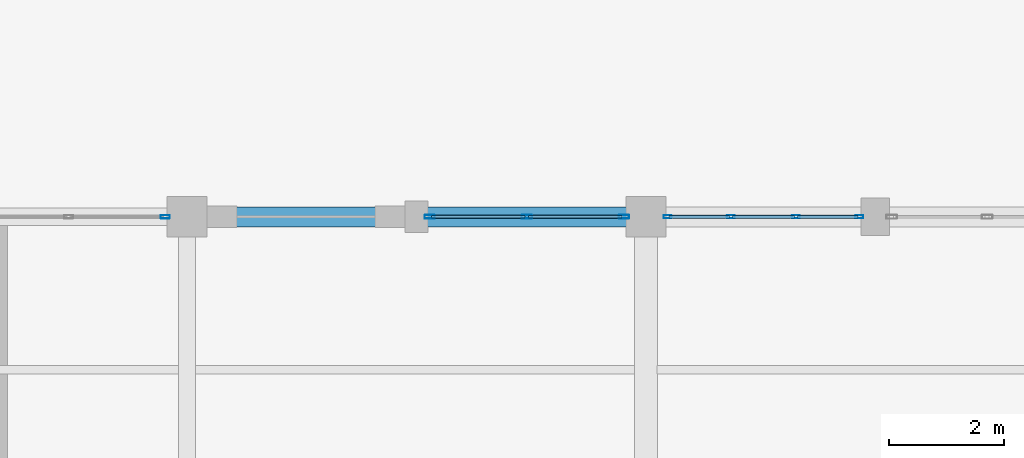
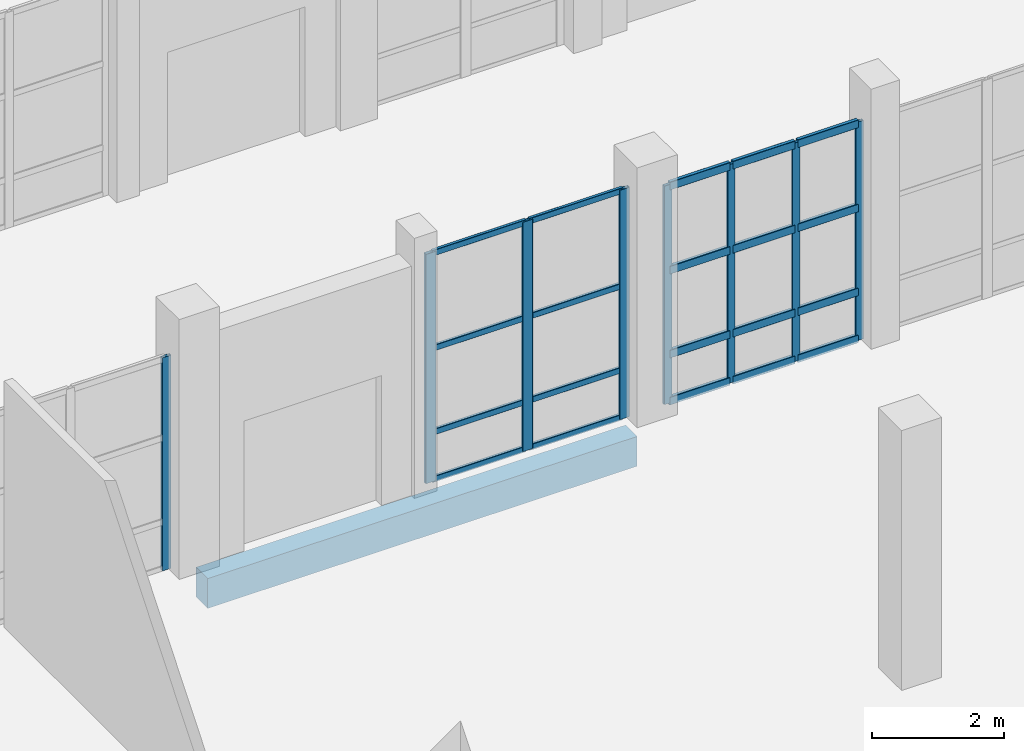
# One storey, part 15 of 156: 28 members, 1 beam, 3 elements without a shape of their own.
"""IFC4 building model written with IfcOpenShell, lengths in metres."""

from ifc_helpers import new_model, si_unit, direction, frame, origin, origin_2d, place, context, subcontext, project, spatial, rectangle, hollow_rectangle, extrude, material, material_profile, profile_set, type_object, element, aggregate, save


model = new_model("IFC4")

# Units and contexts
model_context = context("Model", 3, precision=1e-05, world=origin(), true_north=direction((0.0, 1.0)))
body_context = subcontext(model_context, "Body", "Model", "MODEL_VIEW")
ifc_project = project(units=[si_unit("LENGTHUNIT", "METRE"), si_unit("AREAUNIT", "SQUARE_METRE"), si_unit("VOLUMEUNIT", "CUBIC_METRE"), si_unit("PLANEANGLEUNIT", "RADIAN"), si_unit("MASSUNIT", "GRAM", prefix="KILO")], contexts=[model_context])

# Site, building, storey
site_placement = place(None, origin())
site = spatial("IfcSite", under=ifc_project, at=site_placement, CompositionType="ELEMENT")
building_placement = place(site_placement, origin())
building = spatial("IfcBuilding", under=site, at=building_placement, Name="Luwemba Playhouse", CompositionType="ELEMENT")
storey_placement = place(building_placement, origin())
storey = spatial("IfcBuildingStorey", under=building, at=storey_placement, Name="L00", CompositionType="ELEMENT", Elevation=0.0)

# Beam
ifc_material_1 = material(Name="Concrete C40/50", Category="concrete")
ifc_material_profile_1 = material_profile(ifc_material_1, rectangle(XDim=0.35009765625, YDim=0.550048828125, at=origin_2d()))
ifc_profile_set_1 = profile_set([ifc_material_profile_1], Name="Concrete C40/50")
beam_type = type_object("IfcBeamType", Name="BM-SP2", PredefinedType="SPANDREL", material=ifc_profile_set_1)
beam_placement = place(storey_placement, frame((20.25, 27.0, -0.574951171875), z_axis=(1.0, 0.0, 0.0), x_axis=(0.0, 1.0, 0.0)))
element("IfcBeam", 1, at=beam_placement, inside=storey, type_object=beam_type, Name="L00 grid girder 0173", PredefinedType="SPANDREL", context=body_context, shape_type="SweptSolid", body=[
    extrude(rectangle(XDim=0.35009765625, YDim=0.550048828125, at=origin_2d()), origin(), (0.0, 0.0, 1.0), 7.5),
])

# Curtain wall, member
ifc_material_2 = material(Name="Solar-control double glazing", Category="glass")
curtain_wall_type_1 = type_object("IfcCurtainWallType", Name="CW-CW28", PredefinedType="USERDEFINED", material=ifc_material_2)
curtain_wall_1_placement = place(storey_placement, origin())
curtain_wall_1 = element("IfcCurtainWall", 2, at=curtain_wall_1_placement, inside=storey, type_object=curtain_wall_type_1, Name="L00 V5W unitised curtain wall 031", ObjectType="UNITISED GLAZING", PredefinedType="USERDEFINED")
ifc_material_3 = material(Name="Aluminium 6063-T6", Category="aluminium")
ifc_material_profile_2 = material_profile(ifc_material_3, hollow_rectangle(XDim=0.06005859375, YDim=0.159912109375, WallThickness=0.00390625, InnerFilletRadius=0.006103515625, OuterFilletRadius=0.010009765625, at=origin_2d()))
ifc_profile_set_2 = profile_set([ifc_material_profile_2], Name="Aluminium 6063-T6")
member_type_1 = type_object("IfcMemberType", Name="CWM-M1", PredefinedType="MULLION", material=ifc_profile_set_2)
member_1_placement = place(storey_placement, frame((19.6201171875, 27.0, 0.0), z_axis=(0.0, 0.0, 1.0), x_axis=(0.0, 1.0, 0.0)))
member_1 = element("IfcMember", 3, at=member_1_placement, type_object=member_type_1, Name="CW28 mullion 3", PredefinedType="MULLION", context=body_context, shape_type="SweptSolid", body=[
    extrude(hollow_rectangle(XDim=0.06005859375, YDim=0.159912109375, WallThickness=0.00390625, InnerFilletRadius=0.006103515625, OuterFilletRadius=0.010009765625, at=origin_2d()), origin(), (0.0, 0.0, 1.0), 3.93505859375),
])
aggregate(curtain_wall_1, [member_1])

# Curtain wall, members
curtain_wall_type_2 = type_object("IfcCurtainWallType", Name="CW-CW29", PredefinedType="USERDEFINED", material=ifc_material_2)
curtain_wall_2_placement = place(storey_placement, origin())
curtain_wall_2 = element("IfcCurtainWall", 4, at=curtain_wall_2_placement, inside=storey, type_object=curtain_wall_type_2, Name="L00 V5W unitised curtain wall 032", ObjectType="UNITISED GLAZING", PredefinedType="USERDEFINED")
ifc_material_profile_3 = material_profile(ifc_material_3, hollow_rectangle(XDim=0.06494140625, YDim=0.179931640625, WallThickness=0.00439453125, InnerFilletRadius=0.0068359375, OuterFilletRadius=0.01123046875, at=origin_2d()))
ifc_profile_set_3 = profile_set([ifc_material_profile_3], Name="Aluminium 6063-T6")
member_type_2 = type_object("IfcMemberType", Name="CWM-M2", PredefinedType="MULLION", material=ifc_profile_set_3)
member_2_placement = place(storey_placement, frame((24.232421875, 27.0, 0.0), z_axis=(0.0, 0.0, 1.0), x_axis=(0.0, 1.0, 0.0)))
member_2 = element("IfcMember", 5, at=member_2_placement, type_object=member_type_2, Name="CW29 mullion 1", PredefinedType="MULLION", context=body_context, shape_type="SweptSolid", body=[
    extrude(hollow_rectangle(XDim=0.06494140625, YDim=0.179931640625, WallThickness=0.00439453125, InnerFilletRadius=0.0068359375, OuterFilletRadius=0.01123046875, at=origin_2d()), origin(), (0.0, 0.0, 1.0), 4.235107421875),
])
member_3_placement = place(storey_placement, frame((25.925048828125, 27.0, 0.0), z_axis=(0.0, 0.0, 1.0), x_axis=(0.0, 1.0, 0.0)))
member_3 = element("IfcMember", 6, at=member_3_placement, type_object=member_type_2, Name="CW29 mullion 2", PredefinedType="MULLION", context=body_context, shape_type="SweptSolid", body=[
    extrude(hollow_rectangle(XDim=0.06494140625, YDim=0.179931640625, WallThickness=0.00439453125, InnerFilletRadius=0.0068359375, OuterFilletRadius=0.01123046875, at=origin_2d()), origin(), (0.0, 0.0, 1.0), 4.235107421875),
])
member_4_placement = place(storey_placement, frame((27.617431640625, 27.0, 0.0), z_axis=(0.0, 0.0, 1.0), x_axis=(0.0, 1.0, 0.0)))
member_4 = element("IfcMember", 7, at=member_4_placement, type_object=member_type_2, Name="CW29 mullion 3", PredefinedType="MULLION", context=body_context, shape_type="SweptSolid", body=[
    extrude(hollow_rectangle(XDim=0.06494140625, YDim=0.179931640625, WallThickness=0.00439453125, InnerFilletRadius=0.0068359375, OuterFilletRadius=0.01123046875, at=origin_2d()), origin(), (0.0, 0.0, 1.0), 4.235107421875),
])

curtain_wall_type_3 = type_object("IfcCurtainWallType", Name="CW-CW30", PredefinedType="USERDEFINED", material=ifc_material_2)
curtain_wall_3_placement = place(storey_placement, origin())
curtain_wall_3 = element("IfcCurtainWall", 8, at=curtain_wall_3_placement, inside=storey, type_object=curtain_wall_type_3, Name="L00 V5W unitised curtain wall 033", ObjectType="UNITISED GLAZING", PredefinedType="USERDEFINED")
ifc_material_profile_4 = material_profile(ifc_material_3, hollow_rectangle(XDim=0.054931640625, YDim=0.139892578125, WallThickness=0.00390625, InnerFilletRadius=0.006103515625, OuterFilletRadius=0.010009765625, at=origin_2d()))
ifc_profile_set_4 = profile_set([ifc_material_profile_4], Name="Aluminium 6063-T6")
member_type_3 = type_object("IfcMemberType", Name="CWM-M3", PredefinedType="MULLION", material=ifc_profile_set_4)
member_5_placement = place(storey_placement, frame((28.37744140625, 27.0, 0.0), z_axis=(0.0, 0.0, 1.0), x_axis=(0.0, 1.0, 0.0)))
member_5 = element("IfcMember", 9, at=member_5_placement, type_object=member_type_3, Name="CW30 mullion 1", PredefinedType="MULLION", context=body_context, shape_type="SweptSolid", body=[
    extrude(hollow_rectangle(XDim=0.054931640625, YDim=0.139892578125, WallThickness=0.00390625, InnerFilletRadius=0.006103515625, OuterFilletRadius=0.010009765625, at=origin_2d()), origin(), (0.0, 0.0, 1.0), 4.034912109375),
])
member_6_placement = place(storey_placement, frame((29.4833984375, 27.0, 0.0), z_axis=(0.0, 0.0, 1.0), x_axis=(0.0, 1.0, 0.0)))
member_6 = element("IfcMember", 10, at=member_6_placement, type_object=member_type_3, Name="CW30 mullion 2", PredefinedType="MULLION", context=body_context, shape_type="SweptSolid", body=[
    extrude(hollow_rectangle(XDim=0.054931640625, YDim=0.139892578125, WallThickness=0.00390625, InnerFilletRadius=0.006103515625, OuterFilletRadius=0.010009765625, at=origin_2d()), origin(), (0.0, 0.0, 1.0), 4.034912109375),
])
member_7_placement = place(storey_placement, frame((30.61669921875, 27.0, 0.0), z_axis=(0.0, 0.0, 1.0), x_axis=(0.0, 1.0, 0.0)))
member_7 = element("IfcMember", 11, at=member_7_placement, type_object=member_type_3, Name="CW30 mullion 3", PredefinedType="MULLION", context=body_context, shape_type="SweptSolid", body=[
    extrude(hollow_rectangle(XDim=0.054931640625, YDim=0.139892578125, WallThickness=0.00390625, InnerFilletRadius=0.006103515625, OuterFilletRadius=0.010009765625, at=origin_2d()), origin(), (0.0, 0.0, 1.0), 4.034912109375),
])
member_8_placement = place(storey_placement, frame((31.722412109375, 27.0, 0.0), z_axis=(0.0, 0.0, 1.0), x_axis=(0.0, 1.0, 0.0)))
member_8 = element("IfcMember", 12, at=member_8_placement, type_object=member_type_3, Name="CW30 mullion 4", PredefinedType="MULLION", context=body_context, shape_type="SweptSolid", body=[
    extrude(hollow_rectangle(XDim=0.054931640625, YDim=0.139892578125, WallThickness=0.00390625, InnerFilletRadius=0.006103515625, OuterFilletRadius=0.010009765625, at=origin_2d()), origin(), (0.0, 0.0, 1.0), 4.034912109375),
])

# Member
ifc_material_profile_5 = material_profile(ifc_material_3, hollow_rectangle(XDim=0.054931640625, YDim=0.110107421875, WallThickness=0.00341796875, InnerFilletRadius=0.00537109375, OuterFilletRadius=0.0087890625, at=origin_2d()))
ifc_profile_set_5 = profile_set([ifc_material_profile_5], Name="Aluminium 6063-T6")
member_type_4 = type_object("IfcMemberType", Name="CWT-T2", PredefinedType="USERDEFINED", material=ifc_profile_set_5)
member_9_placement = place(storey_placement, frame((24.264892578125, 27.0, 0.027587890625), z_axis=(1.0, 0.0, 0.0), x_axis=(0.0, 1.0, 0.0)))
member_9 = element("IfcMember", 13, at=member_9_placement, type_object=member_type_4, Name="CW29 transom 1.1", ObjectType="TRANSOM", PredefinedType="USERDEFINED", context=body_context, shape_type="SweptSolid", body=[
    extrude(hollow_rectangle(XDim=0.054931640625, YDim=0.110107421875, WallThickness=0.00341796875, InnerFilletRadius=0.00537109375, OuterFilletRadius=0.0087890625, at=origin_2d()), origin(), (0.0, 0.0, 1.0), 1.627685546875),
])

member_10_placement = place(storey_placement, frame((24.264892578125, 27.0, 0.89990234375), z_axis=(1.0, 0.0, 0.0), x_axis=(0.0, 1.0, 0.0)))
member_10 = element("IfcMember", 14, at=member_10_placement, type_object=member_type_4, Name="CW29 transom 1.2", ObjectType="TRANSOM", PredefinedType="USERDEFINED", context=body_context, shape_type="SweptSolid", body=[
    extrude(hollow_rectangle(XDim=0.054931640625, YDim=0.110107421875, WallThickness=0.00341796875, InnerFilletRadius=0.00537109375, OuterFilletRadius=0.0087890625, at=origin_2d()), origin(), (0.0, 0.0, 1.0), 1.627685546875),
])

member_11_placement = place(storey_placement, frame((24.264892578125, 27.0, 2.449951171875), z_axis=(1.0, 0.0, 0.0), x_axis=(0.0, 1.0, 0.0)))
member_11 = element("IfcMember", 15, at=member_11_placement, type_object=member_type_4, Name="CW29 transom 1.3", ObjectType="TRANSOM", PredefinedType="USERDEFINED", context=body_context, shape_type="SweptSolid", body=[
    extrude(hollow_rectangle(XDim=0.054931640625, YDim=0.110107421875, WallThickness=0.00341796875, InnerFilletRadius=0.00537109375, OuterFilletRadius=0.0087890625, at=origin_2d()), origin(), (0.0, 0.0, 1.0), 1.627685546875),
])

member_12_placement = place(storey_placement, frame((24.264892578125, 27.0, 4.20751953125), z_axis=(1.0, 0.0, 0.0), x_axis=(0.0, 1.0, 0.0)))
member_12 = element("IfcMember", 16, at=member_12_placement, type_object=member_type_4, Name="CW29 transom 1.4", ObjectType="TRANSOM", PredefinedType="USERDEFINED", context=body_context, shape_type="SweptSolid", body=[
    extrude(hollow_rectangle(XDim=0.054931640625, YDim=0.110107421875, WallThickness=0.00341796875, InnerFilletRadius=0.00537109375, OuterFilletRadius=0.0087890625, at=origin_2d()), origin(), (0.0, 0.0, 1.0), 1.627685546875),
])

member_13_placement = place(storey_placement, frame((25.95751953125, 27.0, 0.027587890625), z_axis=(1.0, 0.0, 0.0), x_axis=(0.0, 1.0, 0.0)))
member_13 = element("IfcMember", 17, at=member_13_placement, type_object=member_type_4, Name="CW29 transom 2.1", ObjectType="TRANSOM", PredefinedType="USERDEFINED", context=body_context, shape_type="SweptSolid", body=[
    extrude(hollow_rectangle(XDim=0.054931640625, YDim=0.110107421875, WallThickness=0.00341796875, InnerFilletRadius=0.00537109375, OuterFilletRadius=0.0087890625, at=origin_2d()), origin(), (0.0, 0.0, 1.0), 1.62744140625),
])

member_14_placement = place(storey_placement, frame((25.95751953125, 27.0, 0.89990234375), z_axis=(1.0, 0.0, 0.0), x_axis=(0.0, 1.0, 0.0)))
member_14 = element("IfcMember", 18, at=member_14_placement, type_object=member_type_4, Name="CW29 transom 2.2", ObjectType="TRANSOM", PredefinedType="USERDEFINED", context=body_context, shape_type="SweptSolid", body=[
    extrude(hollow_rectangle(XDim=0.054931640625, YDim=0.110107421875, WallThickness=0.00341796875, InnerFilletRadius=0.00537109375, OuterFilletRadius=0.0087890625, at=origin_2d()), origin(), (0.0, 0.0, 1.0), 1.62744140625),
])

member_15_placement = place(storey_placement, frame((25.95751953125, 27.0, 2.449951171875), z_axis=(1.0, 0.0, 0.0), x_axis=(0.0, 1.0, 0.0)))
member_15 = element("IfcMember", 19, at=member_15_placement, type_object=member_type_4, Name="CW29 transom 2.3", ObjectType="TRANSOM", PredefinedType="USERDEFINED", context=body_context, shape_type="SweptSolid", body=[
    extrude(hollow_rectangle(XDim=0.054931640625, YDim=0.110107421875, WallThickness=0.00341796875, InnerFilletRadius=0.00537109375, OuterFilletRadius=0.0087890625, at=origin_2d()), origin(), (0.0, 0.0, 1.0), 1.62744140625),
])

member_16_placement = place(storey_placement, frame((25.95751953125, 27.0, 4.20751953125), z_axis=(1.0, 0.0, 0.0), x_axis=(0.0, 1.0, 0.0)))
member_16 = element("IfcMember", 20, at=member_16_placement, type_object=member_type_4, Name="CW29 transom 2.4", ObjectType="TRANSOM", PredefinedType="USERDEFINED", context=body_context, shape_type="SweptSolid", body=[
    extrude(hollow_rectangle(XDim=0.054931640625, YDim=0.110107421875, WallThickness=0.00341796875, InnerFilletRadius=0.00537109375, OuterFilletRadius=0.0087890625, at=origin_2d()), origin(), (0.0, 0.0, 1.0), 1.62744140625),
])

aggregate(curtain_wall_2, [member_2, member_3, member_4, member_9, member_10, member_11, member_12, member_13, member_14, member_15, member_16])

ifc_material_profile_6 = material_profile(ifc_material_3, hollow_rectangle(XDim=0.06494140625, YDim=0.14990234375, WallThickness=0.00390625, InnerFilletRadius=0.006103515625, OuterFilletRadius=0.010009765625, at=origin_2d()))
ifc_profile_set_6 = profile_set([ifc_material_profile_6], Name="Aluminium 6063-T6")
member_type_5 = type_object("IfcMemberType", Name="CWT-T3", PredefinedType="USERDEFINED", material=ifc_profile_set_6)
member_17_placement = place(storey_placement, frame((28.405029296875, 27.0, 0.032470703125), z_axis=(1.0, 0.0, 0.0), x_axis=(0.0, 1.0, 0.0)))
member_17 = element("IfcMember", 21, at=member_17_placement, type_object=member_type_5, Name="CW30 transom 1.1", ObjectType="TRANSOM", PredefinedType="USERDEFINED", context=body_context, shape_type="SweptSolid", body=[
    extrude(hollow_rectangle(XDim=0.06494140625, YDim=0.14990234375, WallThickness=0.00390625, InnerFilletRadius=0.006103515625, OuterFilletRadius=0.010009765625, at=origin_2d()), origin(), (0.0, 0.0, 1.0), 1.05078125),
])

member_18_placement = place(storey_placement, frame((28.405029296875, 27.0, 0.89990234375), z_axis=(1.0, 0.0, 0.0), x_axis=(0.0, 1.0, 0.0)))
member_18 = element("IfcMember", 22, at=member_18_placement, type_object=member_type_5, Name="CW30 transom 1.2", ObjectType="TRANSOM", PredefinedType="USERDEFINED", context=body_context, shape_type="SweptSolid", body=[
    extrude(hollow_rectangle(XDim=0.06494140625, YDim=0.14990234375, WallThickness=0.00390625, InnerFilletRadius=0.006103515625, OuterFilletRadius=0.010009765625, at=origin_2d()), origin(), (0.0, 0.0, 1.0), 1.05078125),
])

member_19_placement = place(storey_placement, frame((28.405029296875, 27.0, 2.449951171875), z_axis=(1.0, 0.0, 0.0), x_axis=(0.0, 1.0, 0.0)))
member_19 = element("IfcMember", 23, at=member_19_placement, type_object=member_type_5, Name="CW30 transom 1.3", ObjectType="TRANSOM", PredefinedType="USERDEFINED", context=body_context, shape_type="SweptSolid", body=[
    extrude(hollow_rectangle(XDim=0.06494140625, YDim=0.14990234375, WallThickness=0.00390625, InnerFilletRadius=0.006103515625, OuterFilletRadius=0.010009765625, at=origin_2d()), origin(), (0.0, 0.0, 1.0), 1.05078125),
])

member_20_placement = place(storey_placement, frame((28.405029296875, 27.0, 4.00244140625), z_axis=(1.0, 0.0, 0.0), x_axis=(0.0, 1.0, 0.0)))
member_20 = element("IfcMember", 24, at=member_20_placement, type_object=member_type_5, Name="CW30 transom 1.4", ObjectType="TRANSOM", PredefinedType="USERDEFINED", context=body_context, shape_type="SweptSolid", body=[
    extrude(hollow_rectangle(XDim=0.06494140625, YDim=0.14990234375, WallThickness=0.00390625, InnerFilletRadius=0.006103515625, OuterFilletRadius=0.010009765625, at=origin_2d()), origin(), (0.0, 0.0, 1.0), 1.05078125),
])

member_21_placement = place(storey_placement, frame((29.5107421875, 27.0, 0.032470703125), z_axis=(1.0, 0.0, 0.0), x_axis=(0.0, 1.0, 0.0)))
member_21 = element("IfcMember", 25, at=member_21_placement, type_object=member_type_5, Name="CW30 transom 2.1", ObjectType="TRANSOM", PredefinedType="USERDEFINED", context=body_context, shape_type="SweptSolid", body=[
    extrude(hollow_rectangle(XDim=0.06494140625, YDim=0.14990234375, WallThickness=0.00390625, InnerFilletRadius=0.006103515625, OuterFilletRadius=0.010009765625, at=origin_2d()), origin(), (0.0, 0.0, 1.0), 1.078369140625),
])

member_22_placement = place(storey_placement, frame((29.5107421875, 27.0, 0.89990234375), z_axis=(1.0, 0.0, 0.0), x_axis=(0.0, 1.0, 0.0)))
member_22 = element("IfcMember", 26, at=member_22_placement, type_object=member_type_5, Name="CW30 transom 2.2", ObjectType="TRANSOM", PredefinedType="USERDEFINED", context=body_context, shape_type="SweptSolid", body=[
    extrude(hollow_rectangle(XDim=0.06494140625, YDim=0.14990234375, WallThickness=0.00390625, InnerFilletRadius=0.006103515625, OuterFilletRadius=0.010009765625, at=origin_2d()), origin(), (0.0, 0.0, 1.0), 1.078369140625),
])

member_23_placement = place(storey_placement, frame((29.5107421875, 27.0, 2.449951171875), z_axis=(1.0, 0.0, 0.0), x_axis=(0.0, 1.0, 0.0)))
member_23 = element("IfcMember", 27, at=member_23_placement, type_object=member_type_5, Name="CW30 transom 2.3", ObjectType="TRANSOM", PredefinedType="USERDEFINED", context=body_context, shape_type="SweptSolid", body=[
    extrude(hollow_rectangle(XDim=0.06494140625, YDim=0.14990234375, WallThickness=0.00390625, InnerFilletRadius=0.006103515625, OuterFilletRadius=0.010009765625, at=origin_2d()), origin(), (0.0, 0.0, 1.0), 1.078369140625),
])

member_24_placement = place(storey_placement, frame((29.5107421875, 27.0, 4.00244140625), z_axis=(1.0, 0.0, 0.0), x_axis=(0.0, 1.0, 0.0)))
member_24 = element("IfcMember", 28, at=member_24_placement, type_object=member_type_5, Name="CW30 transom 2.4", ObjectType="TRANSOM", PredefinedType="USERDEFINED", context=body_context, shape_type="SweptSolid", body=[
    extrude(hollow_rectangle(XDim=0.06494140625, YDim=0.14990234375, WallThickness=0.00390625, InnerFilletRadius=0.006103515625, OuterFilletRadius=0.010009765625, at=origin_2d()), origin(), (0.0, 0.0, 1.0), 1.078369140625),
])

member_25_placement = place(storey_placement, frame((30.644287109375, 27.0, 0.032470703125), z_axis=(1.0, 0.0, 0.0), x_axis=(0.0, 1.0, 0.0)))
member_25 = element("IfcMember", 29, at=member_25_placement, type_object=member_type_5, Name="CW30 transom 3.1", ObjectType="TRANSOM", PredefinedType="USERDEFINED", context=body_context, shape_type="SweptSolid", body=[
    extrude(hollow_rectangle(XDim=0.06494140625, YDim=0.14990234375, WallThickness=0.00390625, InnerFilletRadius=0.006103515625, OuterFilletRadius=0.010009765625, at=origin_2d()), origin(), (0.0, 0.0, 1.0), 1.05078125),
])

member_26_placement = place(storey_placement, frame((30.644287109375, 27.0, 0.89990234375), z_axis=(1.0, 0.0, 0.0), x_axis=(0.0, 1.0, 0.0)))
member_26 = element("IfcMember", 30, at=member_26_placement, type_object=member_type_5, Name="CW30 transom 3.2", ObjectType="TRANSOM", PredefinedType="USERDEFINED", context=body_context, shape_type="SweptSolid", body=[
    extrude(hollow_rectangle(XDim=0.06494140625, YDim=0.14990234375, WallThickness=0.00390625, InnerFilletRadius=0.006103515625, OuterFilletRadius=0.010009765625, at=origin_2d()), origin(), (0.0, 0.0, 1.0), 1.05078125),
])

member_27_placement = place(storey_placement, frame((30.644287109375, 27.0, 2.449951171875), z_axis=(1.0, 0.0, 0.0), x_axis=(0.0, 1.0, 0.0)))
member_27 = element("IfcMember", 31, at=member_27_placement, type_object=member_type_5, Name="CW30 transom 3.3", ObjectType="TRANSOM", PredefinedType="USERDEFINED", context=body_context, shape_type="SweptSolid", body=[
    extrude(hollow_rectangle(XDim=0.06494140625, YDim=0.14990234375, WallThickness=0.00390625, InnerFilletRadius=0.006103515625, OuterFilletRadius=0.010009765625, at=origin_2d()), origin(), (0.0, 0.0, 1.0), 1.05078125),
])

member_28_placement = place(storey_placement, frame((30.644287109375, 27.0, 4.00244140625), z_axis=(1.0, 0.0, 0.0), x_axis=(0.0, 1.0, 0.0)))
member_28 = element("IfcMember", 32, at=member_28_placement, type_object=member_type_5, Name="CW30 transom 3.4", ObjectType="TRANSOM", PredefinedType="USERDEFINED", context=body_context, shape_type="SweptSolid", body=[
    extrude(hollow_rectangle(XDim=0.06494140625, YDim=0.14990234375, WallThickness=0.00390625, InnerFilletRadius=0.006103515625, OuterFilletRadius=0.010009765625, at=origin_2d()), origin(), (0.0, 0.0, 1.0), 1.05078125),
])

aggregate(curtain_wall_3, [member_5, member_6, member_7, member_8, member_17, member_18, member_19, member_20, member_21, member_22, member_23, member_24, member_25, member_26, member_27, member_28])

save(model, "model.ifc")
